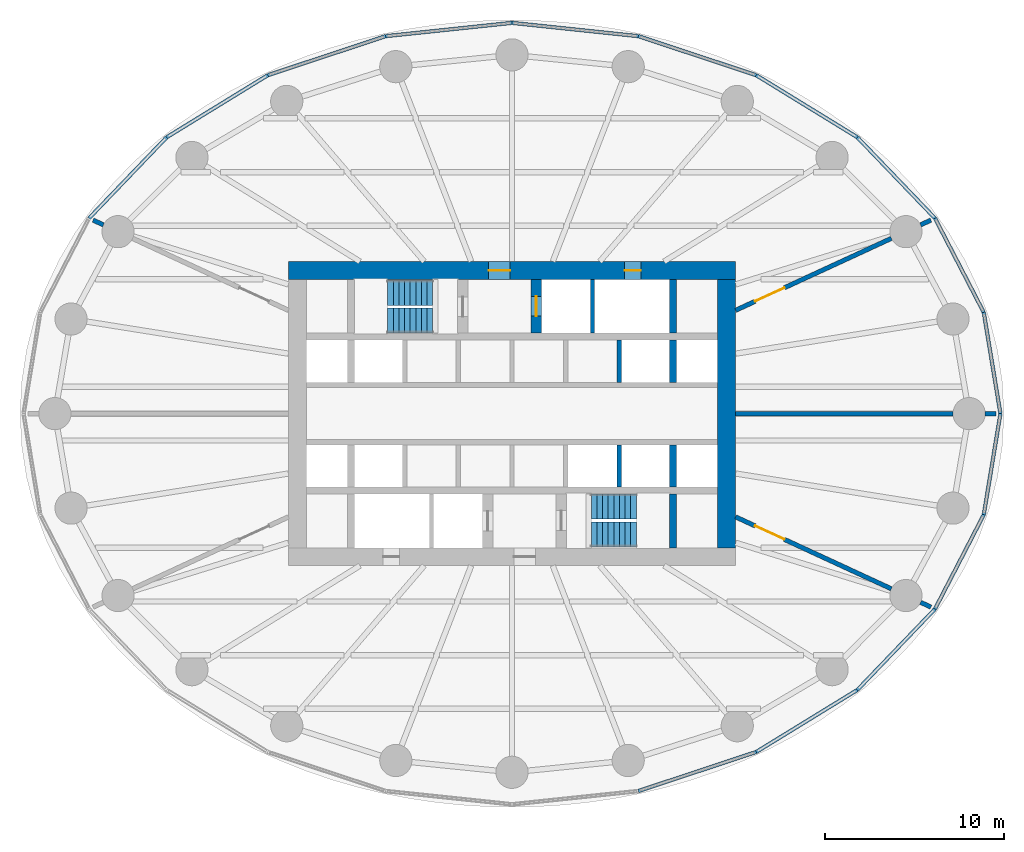
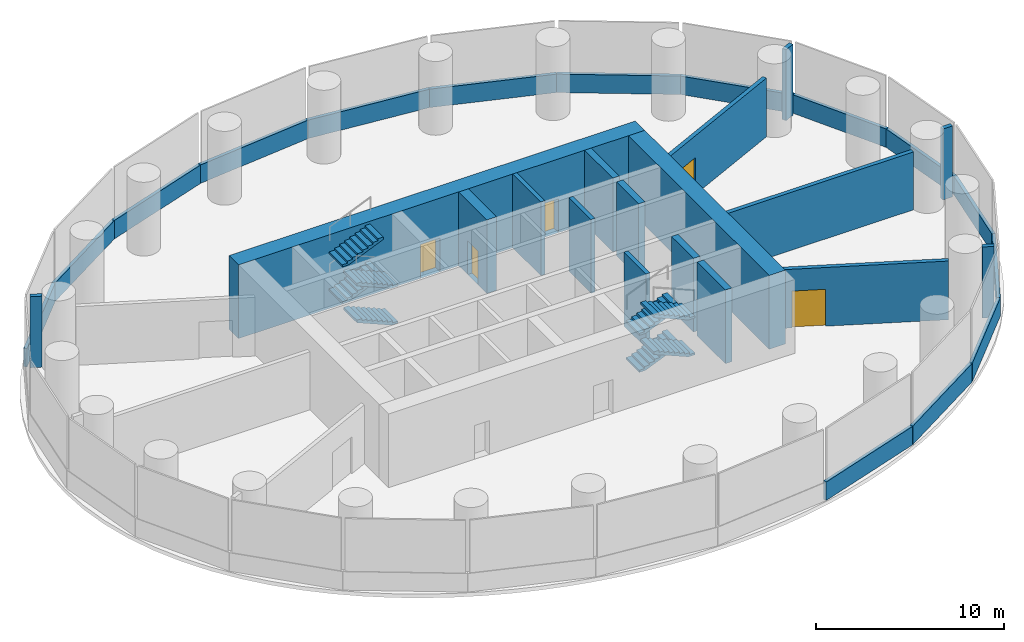
# One storey, part 4 of 5: 32 walls, 8 stair flights, 5 doors, 5 openings, 2 elements without a shape of their own.
"""IFC4 building model written with IfcOpenShell, lengths in metres."""

from ifc_helpers import new_model, si_unit, direction, frame, frame_2d, origin, place, context, subcontext, project, spatial, polyline, rectangle, outline, extrude, material, layer, layer_set, type_object, element, fill, aggregate, save


model = new_model("IFC4")

# Units and contexts
model_context = context("Model", 3, precision=1e-05, world=origin(), true_north=direction((0.0, 1.0)))
body_context = subcontext(model_context, "Body", "Model", "MODEL_VIEW")
ifc_project = project(units=[si_unit("LENGTHUNIT", "METRE"), si_unit("AREAUNIT", "SQUARE_METRE"), si_unit("VOLUMEUNIT", "CUBIC_METRE"), si_unit("PLANEANGLEUNIT", "RADIAN"), si_unit("MASSUNIT", "GRAM", prefix="KILO")], contexts=[model_context])

# Site, building, storey
site_placement = place(None, origin())
site = spatial("IfcSite", under=ifc_project, at=site_placement, CompositionType="ELEMENT")
building_placement = place(site_placement, origin())
building = spatial("IfcBuilding", under=site, at=building_placement, Name="Hankou Lantern Tower", CompositionType="ELEMENT")
storey_placement = place(building_placement, frame((0.0, 0.0, 45.89990234375)))
storey = spatial("IfcBuildingStorey", under=building, at=storey_placement, Name="L10", CompositionType="ELEMENT", Elevation=45.89990234375)

# Wall, openings, doors
ifc_material_1 = material(Name="Concrete C60", Category="concrete")
ifc_layer_1 = layer(ifc_material_1, 1.0)
ifc_layer_set_1 = layer_set([ifc_layer_1], Name="Concrete C60")
wall_type_1 = type_object("IfcWallType", Name="CW1 CORE WALL 1000", PredefinedType="SHEAR", material=ifc_layer_set_1)
wall_1_placement = place(storey_placement, frame((-12.5, 8.0, 0.0), z_axis=(0.0, 0.0, 1.0), x_axis=(1.0, 0.0, 0.0)))
wall_1 = element("IfcWall", 1, at=wall_1_placement, inside=storey, type_object=wall_type_1, Name="Core wall north L10", PredefinedType="SHEAR", context=body_context, shape_type="SweptSolid", body=[
    extrude(rectangle(XDim=25.0, YDim=1.0, at=frame_2d((12.5, 0.0))), origin(), (0.0, 0.0, 1.0), 4.800048828125),
])
opening_1_placement = place(wall_1_placement, frame((11.199951171875, 0.0, 0.0)))
opening_1 = element("IfcOpeningElement", 2, at=opening_1_placement, cuts=wall_1, Name="Opening D5", PredefinedType="OPENING", context=body_context, shape_type="SweptSolid", body=[
    extrude(rectangle(XDim=1.199951171875, YDim=2.199951171875, at=frame_2d((0.60009765625, 1.10009765625))), frame((0.0, 0.510009765625, 0.0), z_axis=(0.0, -1.0, 0.0), x_axis=(1.0, 0.0, 0.0)), (0.0, 0.0, 1.0), 1.02001953125),
])
opening_2_placement = place(wall_1_placement, frame((18.800048828125, 0.0, 0.0)))
opening_2 = element("IfcOpeningElement", 3, at=opening_2_placement, cuts=wall_1, Name="Opening D7", PredefinedType="OPENING", context=body_context, shape_type="SweptSolid", body=[
    extrude(rectangle(XDim=0.89990234375, YDim=2.199951171875, at=frame_2d((0.449951171875, 1.10009765625))), frame((0.0, 0.510009765625, 0.0), z_axis=(0.0, -1.0, 0.0), x_axis=(1.0, 0.0, 0.0)), (0.0, 0.0, 1.0), 1.02001953125),
])
ifc_material_2 = material(Name="Steel door leaf", Category="steel")
door_type_1 = type_object("IfcDoorType", Name="D5 STAIR LOBBY DOOR 1200X2200", OperationType="SINGLE_SWING_LEFT", PredefinedType="DOOR", material=ifc_material_2)
door_1_placement = place(opening_1_placement, origin())
door_1 = element("IfcDoor", 4, at=door_1_placement, inside=storey, type_object=door_type_1, Name="Stair A lobby door", OperationType="SINGLE_SWING_LEFT", OverallHeight=2.199951171875, OverallWidth=1.199951171875, PredefinedType="DOOR", context=body_context, shape_type="SweptSolid", body=[
    extrude(rectangle(XDim=1.199951171875, YDim=2.199951171875, at=frame_2d((0.60009765625, 1.10009765625))), frame((0.0, 0.02490234375, 0.0), z_axis=(0.0, -1.0, 0.0), x_axis=(1.0, 0.0, 0.0)), (0.0, 0.0, 1.0), 0.050048828125),
])
fill(opening_1, door_1)
ifc_material_3 = material(Name="Steel door leaf", Category="steel")
door_type_2 = type_object("IfcDoorType", Name="D7 RISER DOOR 900X2200", OperationType="SINGLE_SWING_LEFT", PredefinedType="DOOR", material=ifc_material_3)
door_2_placement = place(opening_2_placement, origin())
door_2 = element("IfcDoor", 5, at=door_2_placement, inside=storey, type_object=door_type_2, Name="Riser N1 door", OperationType="SINGLE_SWING_RIGHT", OverallHeight=2.199951171875, OverallWidth=0.89990234375, PredefinedType="DOOR", context=body_context, shape_type="SweptSolid", body=[
    extrude(rectangle(XDim=0.89990234375, YDim=2.199951171875, at=frame_2d((0.449951171875, 1.10009765625))), frame((0.0, 0.02490234375, 0.0), z_axis=(0.0, -1.0, 0.0), x_axis=(1.0, 0.0, 0.0)), (0.0, 0.0, 1.0), 0.050048828125),
])
fill(opening_2, door_2)

# Walls
wall_2_placement = place(storey_placement, frame((12.0, -7.5, 0.0), z_axis=(0.0, 0.0, 1.0), x_axis=(0.0, 1.0, 0.0)))
element("IfcWall", 6, at=wall_2_placement, inside=storey, type_object=wall_type_1, Name="Core wall east L10", PredefinedType="SHEAR", context=body_context, shape_type="SweptSolid", body=[
    extrude(rectangle(XDim=15.0, YDim=1.0, at=frame_2d((7.5, 0.0))), origin(), (0.0, 0.0, 1.0), 4.800048828125),
])
ifc_material_4 = material(Name="Concrete C60", Category="concrete")
ifc_layer_2 = layer(ifc_material_4, 0.39990234375)
ifc_layer_set_2 = layer_set([ifc_layer_2], Name="Concrete C60")
wall_type_2 = type_object("IfcWallType", Name="CW4 CORE CROSS WALL 400", PredefinedType="SHEAR", material=ifc_layer_set_2)
wall_3_placement = place(storey_placement, frame((9.0, 4.5, 0.0), z_axis=(0.0, 0.0, 1.0), x_axis=(0.0, 1.0, 0.0)))
element("IfcWall", 7, at=wall_3_placement, inside=storey, type_object=wall_type_2, Name="Core strip wall L10", PredefinedType="SHEAR", context=body_context, shape_type="SweptSolid", body=[
    extrude(rectangle(XDim=3.0, YDim=0.39990234375, at=frame_2d((1.5, 0.0))), origin(), (0.0, 0.0, 1.0), 4.800048828125),
])
for number, where, z_axis, x_axis, name in (
    (8, (9.0, 1.75, 0.0), (0.0, 0.0, 1.0), (0.0, 1.0, 0.0), "Core strip wall L10"),
    (9, (9.0, -4.10009765625, 0.0), (0.0, 0.0, 1.0), (0.0, 1.0, 0.0), "Core strip wall L10"),
):
    element("IfcWall", number, at=place(storey_placement, frame(where, z_axis=z_axis, x_axis=x_axis)), inside=storey, type_object=wall_type_2, Name=name, PredefinedType="SHEAR", context=body_context, shape_type="SweptSolid", body=[
        extrude(rectangle(XDim=2.35009765625, YDim=0.39990234375, at=frame_2d((1.175048828125, 0.0))), origin(), (0.0, 0.0, 1.0), 4.800048828125),
    ])
wall_4_placement = place(storey_placement, frame((9.0, -7.5, 0.0), z_axis=(0.0, 0.0, 1.0), x_axis=(0.0, 1.0, 0.0)))
element("IfcWall", 10, at=wall_4_placement, inside=storey, type_object=wall_type_2, Name="Core strip wall L10", PredefinedType="SHEAR", context=body_context, shape_type="SweptSolid", body=[
    extrude(rectangle(XDim=3.0, YDim=0.39990234375, at=frame_2d((1.5, 0.0))), origin(), (0.0, 0.0, 1.0), 4.800048828125),
])

# Wall, opening, door
ifc_material_5 = material(Name="Concrete C60", Category="concrete")
ifc_layer_3 = layer(ifc_material_5, 0.60009765625)
ifc_layer_set_3 = layer_set([ifc_layer_3], Name="Concrete C60")
wall_type_3 = type_object("IfcWallType", Name="CW6 STAIR AND SHAFT WALL 600", PredefinedType="SHEAR", material=ifc_layer_set_3)
wall_5_placement = place(storey_placement, frame((1.35009765625, 4.5, 0.0), z_axis=(0.0, 0.0, 1.0), x_axis=(0.0, 1.0, 0.0)))
wall_5 = element("IfcWall", 11, at=wall_5_placement, inside=storey, type_object=wall_type_3, Name="Firefighting lift shaft wall L10", PredefinedType="SHEAR", context=body_context, shape_type="SweptSolid", body=[
    extrude(rectangle(XDim=3.0, YDim=0.60009765625, at=frame_2d((1.5, 0.0))), origin(), (0.0, 0.0, 1.0), 4.800048828125),
])
opening_3_placement = place(wall_5_placement, frame((0.949951171875, 0.0, 0.0)))
opening_3 = element("IfcOpeningElement", 12, at=opening_3_placement, cuts=wall_5, Name="Opening LD2", PredefinedType="OPENING", context=body_context, shape_type="SweptSolid", body=[
    extrude(rectangle(XDim=1.10009765625, YDim=2.199951171875, at=frame_2d((0.550048828125, 1.10009765625))), frame((0.0, 0.31005859375, 0.0), z_axis=(0.0, -1.0, 0.0), x_axis=(1.0, 0.0, 0.0)), (0.0, 0.0, 1.0), 0.6201171875),
])
ifc_material_6 = material(Name="Steel door leaf", Category="steel")
door_type_3 = type_object("IfcDoorType", Name="LD2 FIREFIGHTING LIFT LANDING DOOR 1100X2200", OperationType="DOUBLE_DOOR_SLIDING", PredefinedType="DOOR", material=ifc_material_6)
door_3_placement = place(opening_3_placement, origin())
door_3 = element("IfcDoor", 13, at=door_3_placement, inside=storey, type_object=door_type_3, Name="Firefighting lift FL1 landing door", OperationType="DOUBLE_DOOR_SLIDING", OverallHeight=2.199951171875, OverallWidth=1.10009765625, PredefinedType="DOOR", context=body_context, shape_type="SweptSolid", body=[
    extrude(rectangle(XDim=1.10009765625, YDim=2.199951171875, at=frame_2d((0.550048828125, 1.10009765625))), frame((0.0, 0.02490234375, 0.0), z_axis=(0.0, -1.0, 0.0), x_axis=(1.0, 0.0, 0.0)), (0.0, 0.0, 1.0), 0.050048828125),
])
fill(opening_3, door_3)

# Walls
ifc_material_7 = material(Name="Precast concrete C40 spandrel", Category="concrete")
ifc_layer_4 = layer(ifc_material_7, 0.199951171875)
ifc_layer_set_4 = layer_set([ifc_layer_4], Name="Precast concrete C40 spandrel")
wall_type_4 = type_object("IfcWallType", Name="EW3 SPANDREL WALL 200", PredefinedType="PARAPET", material=ifc_layer_set_4)
wall_6_placement = place(storey_placement, frame((27.300048828125, 0.0, 0.0), z_axis=(0.0, 0.0, 1.0), x_axis=(-0.162373720697, 0.9867293321, 0.0)))
element("IfcWall", 14, at=wall_6_placement, inside=storey, type_object=wall_type_4, Name="Spandrel wall R01 L10", PredefinedType="PARAPET", context=body_context, shape_type="SweptSolid", body=[
    extrude(rectangle(XDim=5.728515625, YDim=0.199951171875, at=frame_2d((2.8642578125, 0.0))), origin(), (0.0, 0.0, 1.0), 1.2001953125),
])
wall_7_placement = place(storey_placement, frame((26.369873046875, 5.652587890625, 0.0), z_axis=(0.0, 0.0, 1.0), x_axis=(-0.459796869206, 0.88802412077, 0.0)))
element("IfcWall", 15, at=wall_7_placement, inside=storey, type_object=wall_type_4, Name="Spandrel wall R02 L10", PredefinedType="PARAPET", context=body_context, shape_type="SweptSolid", body=[
    extrude(rectangle(XDim=5.931640625, YDim=0.199951171875, at=frame_2d((2.9658203125, 0.0))), origin(), (0.0, 0.0, 1.0), 1.2001953125),
])
wall_8_placement = place(storey_placement, frame((23.642578125, 10.919921875, 0.0), z_axis=(0.0, 0.0, 1.0), x_axis=(-0.692229324032, 0.721677603193, 0.0)))
element("IfcWall", 16, at=wall_8_placement, inside=storey, type_object=wall_type_4, Name="Spandrel wall R03 L10", PredefinedType="PARAPET", context=body_context, shape_type="SweptSolid", body=[
    extrude(rectangle(XDim=6.267578125, YDim=0.199951171875, at=frame_2d((3.1337890625, 0.0))), origin(), (0.0, 0.0, 1.0), 1.2001953125),
])
wall_9_placement = place(storey_placement, frame((19.303955078125, 15.443115234375, 0.0), z_axis=(0.0, 0.0, 1.0), x_axis=(-0.852227644775, 0.523171139763, 0.0)))
element("IfcWall", 17, at=wall_9_placement, inside=storey, type_object=wall_type_4, Name="Spandrel wall R04 L10", PredefinedType="PARAPET", context=body_context, shape_type="SweptSolid", body=[
    extrude(rectangle(XDim=6.634521484375, YDim=0.199951171875, at=frame_2d((3.3173828125, 0.0))), origin(), (0.0, 0.0, 1.0), 1.2001953125),
])
wall_10_placement = place(storey_placement, frame((13.64990234375, 18.9140625, 0.0), z_axis=(0.0, 0.0, 1.0), x_axis=(-0.94924845877, 0.314527206332, 0.0)))
element("IfcWall", 18, at=wall_10_placement, inside=storey, type_object=wall_type_4, Name="Spandrel wall R05 L10", PredefinedType="PARAPET", context=body_context, shape_type="SweptSolid", body=[
    extrude(rectangle(XDim=6.936279296875, YDim=0.199951171875, at=frame_2d((3.46826171875, 0.0))), origin(), (0.0, 0.0, 1.0), 1.2001953125),
])
for number, where, z_axis, x_axis, name in (
    (19, (7.065673828125, 21.095703125, 0.0), (0.0, 0.0, 1.0), (-0.99449622286, 0.104772433002, 0.0), "Spandrel wall R06 L10"),
    (20, (0.0, 21.840087890625, 0.0), (0.0, 0.0, 1.0), (-0.99449622286, -0.104772433002, 0.0), "Spandrel wall R07 L10"),
):
    element("IfcWall", number, at=place(storey_placement, frame(where, z_axis=z_axis, x_axis=x_axis)), inside=storey, type_object=wall_type_4, Name=name, PredefinedType="PARAPET", context=body_context, shape_type="SweptSolid", body=[
        extrude(rectangle(XDim=7.104736328125, YDim=0.199951171875, at=frame_2d((3.55224609375, 0.0))), origin(), (0.0, 0.0, 1.0), 1.2001953125),
    ])
wall_11_placement = place(storey_placement, frame((-7.065673828125, 21.095703125, 0.0), z_axis=(0.0, 0.0, 1.0), x_axis=(-0.94924845877, -0.314527206332, 0.0)))
element("IfcWall", 21, at=wall_11_placement, inside=storey, type_object=wall_type_4, Name="Spandrel wall R08 L10", PredefinedType="PARAPET", context=body_context, shape_type="SweptSolid", body=[
    extrude(rectangle(XDim=6.936279296875, YDim=0.199951171875, at=frame_2d((3.46826171875, 0.0))), origin(), (0.0, 0.0, 1.0), 1.2001953125),
])
wall_12_placement = place(storey_placement, frame((-13.64990234375, 18.9140625, 0.0), z_axis=(0.0, 0.0, 1.0), x_axis=(-0.852227644775, -0.523171139763, 0.0)))
element("IfcWall", 22, at=wall_12_placement, inside=storey, type_object=wall_type_4, Name="Spandrel wall R09 L10", PredefinedType="PARAPET", context=body_context, shape_type="SweptSolid", body=[
    extrude(rectangle(XDim=6.634521484375, YDim=0.199951171875, at=frame_2d((3.3173828125, 0.0))), origin(), (0.0, 0.0, 1.0), 1.2001953125),
])
wall_13_placement = place(storey_placement, frame((-19.303955078125, 15.443115234375, 0.0), z_axis=(0.0, 0.0, 1.0), x_axis=(-0.692229324032, -0.721677603193, 0.0)))
element("IfcWall", 23, at=wall_13_placement, inside=storey, type_object=wall_type_4, Name="Spandrel wall R10 L10", PredefinedType="PARAPET", context=body_context, shape_type="SweptSolid", body=[
    extrude(rectangle(XDim=6.267578125, YDim=0.199951171875, at=frame_2d((3.1337890625, 0.0))), origin(), (0.0, 0.0, 1.0), 1.2001953125),
])
wall_14_placement = place(storey_placement, frame((7.065673828125, -21.095703125, 0.0), z_axis=(0.0, 0.0, 1.0), x_axis=(0.94924845877, 0.314527206332, 0.0)))
element("IfcWall", 24, at=wall_14_placement, inside=storey, type_object=wall_type_4, Name="Spandrel wall R20 L10", PredefinedType="PARAPET", context=body_context, shape_type="SweptSolid", body=[
    extrude(rectangle(XDim=6.936279296875, YDim=0.199951171875, at=frame_2d((3.46826171875, 0.0))), origin(), (0.0, 0.0, 1.0), 1.2001953125),
])
wall_15_placement = place(storey_placement, frame((13.64990234375, -18.9140625, 0.0), z_axis=(0.0, 0.0, 1.0), x_axis=(0.852227644775, 0.523171139763, 0.0)))
element("IfcWall", 25, at=wall_15_placement, inside=storey, type_object=wall_type_4, Name="Spandrel wall R21 L10", PredefinedType="PARAPET", context=body_context, shape_type="SweptSolid", body=[
    extrude(rectangle(XDim=6.634521484375, YDim=0.199951171875, at=frame_2d((3.3173828125, 0.0))), origin(), (0.0, 0.0, 1.0), 1.2001953125),
])
wall_16_placement = place(storey_placement, frame((19.303955078125, -15.443115234375, 0.0), z_axis=(0.0, 0.0, 1.0), x_axis=(0.692229324032, 0.721677603193, 0.0)))
element("IfcWall", 26, at=wall_16_placement, inside=storey, type_object=wall_type_4, Name="Spandrel wall R22 L10", PredefinedType="PARAPET", context=body_context, shape_type="SweptSolid", body=[
    extrude(rectangle(XDim=6.267578125, YDim=0.199951171875, at=frame_2d((3.1337890625, 0.0))), origin(), (0.0, 0.0, 1.0), 1.2001953125),
])
wall_17_placement = place(storey_placement, frame((23.642578125, -10.919921875, 0.0), z_axis=(0.0, 0.0, 1.0), x_axis=(0.459796869206, 0.88802412077, 0.0)))
element("IfcWall", 27, at=wall_17_placement, inside=storey, type_object=wall_type_4, Name="Spandrel wall R23 L10", PredefinedType="PARAPET", context=body_context, shape_type="SweptSolid", body=[
    extrude(rectangle(XDim=5.931640625, YDim=0.199951171875, at=frame_2d((2.9658203125, 0.0))), origin(), (0.0, 0.0, 1.0), 1.2001953125),
])
wall_18_placement = place(storey_placement, frame((26.369873046875, -5.652587890625, 0.0), z_axis=(0.0, 0.0, 1.0), x_axis=(0.162373720697, 0.9867293321, 0.0)))
element("IfcWall", 28, at=wall_18_placement, inside=storey, type_object=wall_type_4, Name="Spandrel wall R24 L10", PredefinedType="PARAPET", context=body_context, shape_type="SweptSolid", body=[
    extrude(rectangle(XDim=5.728515625, YDim=0.199951171875, at=frame_2d((2.8642578125, 0.0))), origin(), (0.0, 0.0, 1.0), 1.2001953125),
])

# Wall, opening, door
ifc_material_8 = material(Name="Masonry dense concrete block", Category="masonry")
ifc_layer_5 = layer(ifc_material_8, 0.25)
ifc_layer_set_5 = layer_set([ifc_layer_5], Name="Masonry dense concrete block")
wall_type_5 = type_object("IfcWallType", Name="IW5 PLANT ROOM FIRE WALL 250", PredefinedType="PARTITIONING", material=ifc_layer_set_5)
wall_19_placement = place(storey_placement, frame((12.5, 5.7734375, 0.0), z_axis=(0.0, 0.0, 1.0), x_axis=(0.907843804287, 0.419308510548, 0.0)))
wall_19 = element("IfcWall", 29, at=wall_19_placement, inside=storey, type_object=wall_type_5, Name="Plant room fire wall R03", PredefinedType="PARTITIONING", context=body_context, shape_type="SweptSolid", body=[
    extrude(rectangle(XDim=9.58544921875, YDim=0.25, at=frame_2d((4.792724609375, 0.0))), origin(), (0.0, 0.0, 1.0), 3.820068359375),
])
opening_4_placement = place(wall_19_placement, frame((1.199951171875, 0.0, 0.0)))
opening_4 = element("IfcOpeningElement", 30, at=opening_4_placement, cuts=wall_19, Name="Opening D9", PredefinedType="OPENING", context=body_context, shape_type="SweptSolid", body=[
    extrude(rectangle(XDim=1.800048828125, YDim=2.39990234375, at=frame_2d((0.89990234375, 1.199951171875))), frame((0.0, 0.135009765625, 0.0), z_axis=(0.0, -1.0, 0.0), x_axis=(1.0, 0.0, 0.0)), (0.0, 0.0, 1.0), 0.27001953125),
])
ifc_material_9 = material(Name="Steel door leaf", Category="steel")
door_type_4 = type_object("IfcDoorType", Name="D9 PLANT ROOM DOOR 1800X2400", OperationType="DOUBLE_DOOR_DOUBLE_SWING", PredefinedType="DOOR", material=ifc_material_9)
door_4_placement = place(opening_4_placement, origin())
door_4 = element("IfcDoor", 31, at=door_4_placement, inside=storey, type_object=door_type_4, Name="Plant room door R03", OperationType="DOUBLE_DOOR_DOUBLE_SWING", OverallHeight=2.39990234375, OverallWidth=1.800048828125, PredefinedType="DOOR", context=body_context, shape_type="SweptSolid", body=[
    extrude(rectangle(XDim=1.800048828125, YDim=2.39990234375, at=frame_2d((0.89990234375, 1.199951171875))), frame((0.0, 0.02490234375, 0.0), z_axis=(0.0, -1.0, 0.0), x_axis=(1.0, 0.0, 0.0)), (0.0, 0.0, 1.0), 0.050048828125),
])
fill(opening_4, door_4)

# Walls
for number, where, z_axis, x_axis, name in (
    (32, (22.836181640625, 10.547607421875, 0.0), (0.0, 0.0, 1.0), (0.907847379299, 0.419300770211, 0.0), "Plant room fire wall R03"),
    (33, (-22.836181640625, 10.547607421875, 0.0), (0.0, 0.0, 1.0), (-0.907847379299, 0.419300770211, 0.0), "Plant room fire wall R11"),
):
    element("IfcWall", number, at=place(storey_placement, frame(where, z_axis=z_axis, x_axis=x_axis)), inside=storey, type_object=wall_type_5, Name=name, PredefinedType="PARTITIONING", context=body_context, shape_type="SweptSolid", body=[
        extrude(rectangle(XDim=0.63818359375, YDim=0.25, at=frame_2d((0.319091796875, 0.0))), origin(), (0.0, 0.0, 1.0), 4.6201171875),
    ])

# Wall, opening, door
wall_20_placement = place(storey_placement, frame((12.5, -5.7734375, 0.0), z_axis=(0.0, 0.0, 1.0), x_axis=(0.907843804287, -0.419308510548, 0.0)))
wall_20 = element("IfcWall", 34, at=wall_20_placement, inside=storey, type_object=wall_type_5, Name="Plant room fire wall R23", PredefinedType="PARTITIONING", context=body_context, shape_type="SweptSolid", body=[
    extrude(rectangle(XDim=9.58544921875, YDim=0.25, at=frame_2d((4.792724609375, 0.0))), origin(), (0.0, 0.0, 1.0), 3.820068359375),
])
opening_5_placement = place(wall_20_placement, frame((1.199951171875, 0.0, 0.0)))
opening_5 = element("IfcOpeningElement", 35, at=opening_5_placement, cuts=wall_20, Name="Opening D9", PredefinedType="OPENING", context=body_context, shape_type="SweptSolid", body=[
    extrude(rectangle(XDim=1.800048828125, YDim=2.39990234375, at=frame_2d((0.89990234375, 1.199951171875))), frame((0.0, 0.135009765625, 0.0), z_axis=(0.0, -1.0, 0.0), x_axis=(1.0, 0.0, 0.0)), (0.0, 0.0, 1.0), 0.27001953125),
])
door_5_placement = place(opening_5_placement, origin())
door_5 = element("IfcDoor", 36, at=door_5_placement, inside=storey, type_object=door_type_4, Name="Plant room door R23", OperationType="DOUBLE_DOOR_DOUBLE_SWING", OverallHeight=2.39990234375, OverallWidth=1.800048828125, PredefinedType="DOOR", context=body_context, shape_type="SweptSolid", body=[
    extrude(rectangle(XDim=1.800048828125, YDim=2.39990234375, at=frame_2d((0.89990234375, 1.199951171875))), frame((0.0, 0.02490234375, 0.0), z_axis=(0.0, -1.0, 0.0), x_axis=(1.0, 0.0, 0.0)), (0.0, 0.0, 1.0), 0.050048828125),
])
fill(opening_5, door_5)

# Walls
wall_21_placement = place(storey_placement, frame((22.836181640625, -10.547607421875, 0.0), z_axis=(0.0, 0.0, 1.0), x_axis=(0.907847379299, -0.419300770211, 0.0)))
element("IfcWall", 37, at=wall_21_placement, inside=storey, type_object=wall_type_5, Name="Plant room fire wall R23", PredefinedType="PARTITIONING", context=body_context, shape_type="SweptSolid", body=[
    extrude(rectangle(XDim=0.63818359375, YDim=0.25, at=frame_2d((0.319091796875, 0.0))), origin(), (0.0, 0.0, 1.0), 4.6201171875),
])
wall_22_placement = place(storey_placement, frame((12.5, 0.0, 0.0), z_axis=(0.0, 0.0, 1.0), x_axis=(1.0, 0.0, 0.0)))
element("IfcWall", 38, at=wall_22_placement, inside=storey, type_object=wall_type_5, Name="Plant room partition R01", PredefinedType="PARTITIONING", context=body_context, shape_type="SweptSolid", body=[
    extrude(rectangle(XDim=12.14990234375, YDim=0.25, at=frame_2d((6.074951171875, 0.0))), origin(), (0.0, 0.0, 1.0), 3.77001953125),
])
wall_23_placement = place(storey_placement, frame((26.449951171875, 0.0, 0.0), z_axis=(0.0, 0.0, 1.0), x_axis=(1.0, 0.0, 0.0)))
element("IfcWall", 39, at=wall_23_placement, inside=storey, type_object=wall_type_5, Name="Plant room partition R01", PredefinedType="PARTITIONING", context=body_context, shape_type="SweptSolid", body=[
    extrude(rectangle(XDim=0.60009765625, YDim=0.25, at=frame_2d((0.300048828125, 0.0))), origin(), (0.0, 0.0, 1.0), 4.6201171875),
])
ifc_material_10 = material(Name="Masonry autoclaved aerated concrete block", Category="masonry")
ifc_layer_6 = layer(ifc_material_10, 0.25)
ifc_layer_set_6 = layer_set([ifc_layer_6], Name="Masonry autoclaved aerated concrete block")
wall_type_6 = type_object("IfcWallType", Name="SW1 SHAFT BLOCK WALL 250", PredefinedType="PARTITIONING", material=ifc_layer_set_6)
wall_24_placement = place(storey_placement, frame((4.5, 4.5, 0.0), z_axis=(0.0, 0.0, 1.0), x_axis=(0.0, 1.0, 0.0)))
element("IfcWall", 40, at=wall_24_placement, inside=storey, type_object=wall_type_6, Name="Riser wall L10", PredefinedType="PARTITIONING", context=body_context, shape_type="SweptSolid", body=[
    extrude(rectangle(XDim=3.0, YDim=0.25, at=frame_2d((1.5, 0.0))), origin(), (0.0, 0.0, 1.0), 4.800048828125),
])
for number, where, z_axis, x_axis, name in (
    (41, (6.0, 1.75, 0.0), (0.0, 0.0, 1.0), (0.0, 1.0, 0.0), "Lift shaft wall L10"),
    (42, (6.0, -4.10009765625, 0.0), (0.0, 0.0, 1.0), (0.0, 1.0, 0.0), "Lift shaft wall L10"),
):
    element("IfcWall", number, at=place(storey_placement, frame(where, z_axis=z_axis, x_axis=x_axis)), inside=storey, type_object=wall_type_6, Name=name, PredefinedType="PARTITIONING", context=body_context, shape_type="SweptSolid", body=[
        extrude(rectangle(XDim=2.35009765625, YDim=0.25, at=frame_2d((1.175048828125, 0.0))), origin(), (0.0, 0.0, 1.0), 4.800048828125),
    ])

# Stair, stair flights
ifc_material_11 = material(Name="Concrete C40", Category="concrete")
stair_type = type_object("IfcStairType", Name="ST48 CORE STAIR 4800 RISE", PredefinedType="HALF_TURN_STAIR", material=ifc_material_11)
stair_1_placement = place(storey_placement, origin())
stair_1 = element("IfcStair", 43, at=stair_1_placement, inside=storey, type_object=stair_type, Name="Stair STA L10", PredefinedType="HALF_TURN_STAIR")
ifc_material_12 = material(Name="Concrete C40", Category="concrete")
stair_flight_type = type_object("IfcStairFlightType", Name="CF9 CORE STAIR FLIGHT 1400 X 9 RISERS", PredefinedType="STRAIGHT", material=ifc_material_12)
stair_flight_1_placement = place(storey_placement, frame((-4.429931640625, 5.199951171875, 0.0), z_axis=(0.0, 0.0, 1.0), x_axis=(-1.0, 0.0, 0.0)))
stair_flight_1 = element("IfcStairFlight", 44, at=stair_flight_1_placement, type_object=stair_flight_type, Name="STA flight 1", NumberOfRisers=9, NumberOfTreads=8, PredefinedType="STRAIGHT", RiserHeight=0.133333333, TreadLength=0.315, context=body_context, shape_type="SweptSolid", body=[
    extrude(outline(polyline([(0.0, 0.0), (0.0, 0.13330078125), (0.31494140625, 0.13330078125), (0.31494140625, 0.2666015625), (0.6298828125, 0.2666015625), (0.6298828125, 0.39990234375), (0.945068359375, 0.39990234375), (0.945068359375, 0.533447265625), (1.260009765625, 0.533447265625), (1.260009765625, 0.666748046875), (1.574951171875, 0.666748046875), (1.574951171875, 0.800048828125), (1.889892578125, 0.800048828125), (1.889892578125, 0.933349609375), (2.205078125, 0.933349609375), (2.205078125, 1.066650390625), (2.52001953125, 1.066650390625), (2.52001953125, 1.199951171875), (2.52001953125, 0.90380859375), (0.384521484375, 0.0), (0.0, 0.0)])), frame((0.0, 0.699951171875, 0.0), z_axis=(0.0, -1.0, 0.0), x_axis=(1.0, 0.0, 0.0)), (0.0, 0.0, 1.0), 1.39990234375),
])
stair_flight_2_placement = place(storey_placement, frame((-6.949951171875, 6.75, 1.2001953125), z_axis=(0.0, 0.0, 1.0), x_axis=(1.0, 0.0, 0.0)))
stair_flight_2 = element("IfcStairFlight", 45, at=stair_flight_2_placement, type_object=stair_flight_type, Name="STA flight 2", NumberOfRisers=9, NumberOfTreads=8, PredefinedType="STRAIGHT", RiserHeight=0.133333333, TreadLength=0.315, context=body_context, shape_type="SweptSolid", body=[
    extrude(outline(polyline([(0.0, 0.0), (0.0, 0.13330078125), (0.31494140625, 0.13330078125), (0.31494140625, 0.2666015625), (0.6298828125, 0.2666015625), (0.6298828125, 0.39990234375), (0.945068359375, 0.39990234375), (0.945068359375, 0.533447265625), (1.260009765625, 0.533447265625), (1.260009765625, 0.666748046875), (1.574951171875, 0.666748046875), (1.574951171875, 0.800048828125), (1.889892578125, 0.800048828125), (1.889892578125, 0.933349609375), (2.205078125, 0.933349609375), (2.205078125, 1.066650390625), (2.52001953125, 1.066650390625), (2.52001953125, 1.199951171875), (2.52001953125, 0.90380859375), (0.384521484375, 0.0), (0.0, 0.0)])), frame((0.0, 0.699951171875, 0.0), z_axis=(0.0, -1.0, 0.0), x_axis=(1.0, 0.0, 0.0)), (0.0, 0.0, 1.0), 1.39990234375),
])
stair_flight_3_placement = place(storey_placement, frame((-4.429931640625, 5.199951171875, 2.400146484375), z_axis=(0.0, 0.0, 1.0), x_axis=(-1.0, 0.0, 0.0)))
stair_flight_3 = element("IfcStairFlight", 46, at=stair_flight_3_placement, type_object=stair_flight_type, Name="STA flight 3", NumberOfRisers=9, NumberOfTreads=8, PredefinedType="STRAIGHT", RiserHeight=0.133333333, TreadLength=0.315, context=body_context, shape_type="SweptSolid", body=[
    extrude(outline(polyline([(0.0, 0.0), (0.0, 0.13330078125), (0.31494140625, 0.13330078125), (0.31494140625, 0.2666015625), (0.6298828125, 0.2666015625), (0.6298828125, 0.39990234375), (0.945068359375, 0.39990234375), (0.945068359375, 0.533447265625), (1.260009765625, 0.533447265625), (1.260009765625, 0.666748046875), (1.574951171875, 0.666748046875), (1.574951171875, 0.800048828125), (1.889892578125, 0.800048828125), (1.889892578125, 0.933349609375), (2.205078125, 0.933349609375), (2.205078125, 1.066650390625), (2.52001953125, 1.066650390625), (2.52001953125, 1.199951171875), (2.52001953125, 0.90380859375), (0.384521484375, 0.0), (0.0, 0.0)])), frame((0.0, 0.699951171875, 0.0), z_axis=(0.0, -1.0, 0.0), x_axis=(1.0, 0.0, 0.0)), (0.0, 0.0, 1.0), 1.39990234375),
])
stair_flight_4_placement = place(storey_placement, frame((-6.949951171875, 6.75, 3.60009765625), z_axis=(0.0, 0.0, 1.0), x_axis=(1.0, 0.0, 0.0)))
stair_flight_4 = element("IfcStairFlight", 47, at=stair_flight_4_placement, type_object=stair_flight_type, Name="STA flight 4", NumberOfRisers=9, NumberOfTreads=8, PredefinedType="STRAIGHT", RiserHeight=0.133333333, TreadLength=0.315, context=body_context, shape_type="SweptSolid", body=[
    extrude(outline(polyline([(0.0, 0.0), (0.0, 0.13330078125), (0.31494140625, 0.13330078125), (0.31494140625, 0.2666015625), (0.6298828125, 0.2666015625), (0.6298828125, 0.39990234375), (0.945068359375, 0.39990234375), (0.945068359375, 0.533447265625), (1.260009765625, 0.533447265625), (1.260009765625, 0.666748046875), (1.574951171875, 0.666748046875), (1.574951171875, 0.800048828125), (1.889892578125, 0.800048828125), (1.889892578125, 0.933349609375), (2.205078125, 0.933349609375), (2.205078125, 1.066650390625), (2.52001953125, 1.066650390625), (2.52001953125, 1.199951171875), (2.52001953125, 0.90380859375), (0.384521484375, 0.0), (0.0, 0.0)])), frame((0.0, 0.699951171875, 0.0), z_axis=(0.0, -1.0, 0.0), x_axis=(1.0, 0.0, 0.0)), (0.0, 0.0, 1.0), 1.39990234375),
])
aggregate(stair_1, [stair_flight_1, stair_flight_2, stair_flight_3, stair_flight_4])

stair_2_placement = place(storey_placement, origin())
stair_2 = element("IfcStair", 48, at=stair_2_placement, inside=storey, type_object=stair_type, Name="Stair STB L10", PredefinedType="HALF_TURN_STAIR")
stair_flight_5_placement = place(storey_placement, frame((4.429931640625, -5.199951171875, 0.0), z_axis=(0.0, 0.0, 1.0), x_axis=(1.0, 0.0, 0.0)))
stair_flight_5 = element("IfcStairFlight", 49, at=stair_flight_5_placement, type_object=stair_flight_type, Name="STB flight 1", NumberOfRisers=9, NumberOfTreads=8, PredefinedType="STRAIGHT", RiserHeight=0.133333333, TreadLength=0.315, context=body_context, shape_type="SweptSolid", body=[
    extrude(outline(polyline([(0.0, 0.0), (0.0, 0.13330078125), (0.31494140625, 0.13330078125), (0.31494140625, 0.2666015625), (0.6298828125, 0.2666015625), (0.6298828125, 0.39990234375), (0.945068359375, 0.39990234375), (0.945068359375, 0.533447265625), (1.260009765625, 0.533447265625), (1.260009765625, 0.666748046875), (1.574951171875, 0.666748046875), (1.574951171875, 0.800048828125), (1.889892578125, 0.800048828125), (1.889892578125, 0.933349609375), (2.205078125, 0.933349609375), (2.205078125, 1.066650390625), (2.52001953125, 1.066650390625), (2.52001953125, 1.199951171875), (2.52001953125, 0.90380859375), (0.384521484375, 0.0), (0.0, 0.0)])), frame((0.0, 0.699951171875, 0.0), z_axis=(0.0, -1.0, 0.0), x_axis=(1.0, 0.0, 0.0)), (0.0, 0.0, 1.0), 1.39990234375),
])
stair_flight_6_placement = place(storey_placement, frame((6.949951171875, -6.75, 1.2001953125), z_axis=(0.0, 0.0, 1.0), x_axis=(-1.0, 0.0, 0.0)))
stair_flight_6 = element("IfcStairFlight", 50, at=stair_flight_6_placement, type_object=stair_flight_type, Name="STB flight 2", NumberOfRisers=9, NumberOfTreads=8, PredefinedType="STRAIGHT", RiserHeight=0.133333333, TreadLength=0.315, context=body_context, shape_type="SweptSolid", body=[
    extrude(outline(polyline([(0.0, 0.0), (0.0, 0.13330078125), (0.31494140625, 0.13330078125), (0.31494140625, 0.2666015625), (0.6298828125, 0.2666015625), (0.6298828125, 0.39990234375), (0.945068359375, 0.39990234375), (0.945068359375, 0.533447265625), (1.260009765625, 0.533447265625), (1.260009765625, 0.666748046875), (1.574951171875, 0.666748046875), (1.574951171875, 0.800048828125), (1.889892578125, 0.800048828125), (1.889892578125, 0.933349609375), (2.205078125, 0.933349609375), (2.205078125, 1.066650390625), (2.52001953125, 1.066650390625), (2.52001953125, 1.199951171875), (2.52001953125, 0.90380859375), (0.384521484375, 0.0), (0.0, 0.0)])), frame((0.0, 0.699951171875, 0.0), z_axis=(0.0, -1.0, 0.0), x_axis=(1.0, 0.0, 0.0)), (0.0, 0.0, 1.0), 1.39990234375),
])
stair_flight_7_placement = place(storey_placement, frame((4.429931640625, -5.199951171875, 2.400146484375), z_axis=(0.0, 0.0, 1.0), x_axis=(1.0, 0.0, 0.0)))
stair_flight_7 = element("IfcStairFlight", 51, at=stair_flight_7_placement, type_object=stair_flight_type, Name="STB flight 3", NumberOfRisers=9, NumberOfTreads=8, PredefinedType="STRAIGHT", RiserHeight=0.133333333, TreadLength=0.315, context=body_context, shape_type="SweptSolid", body=[
    extrude(outline(polyline([(0.0, 0.0), (0.0, 0.13330078125), (0.31494140625, 0.13330078125), (0.31494140625, 0.2666015625), (0.6298828125, 0.2666015625), (0.6298828125, 0.39990234375), (0.945068359375, 0.39990234375), (0.945068359375, 0.533447265625), (1.260009765625, 0.533447265625), (1.260009765625, 0.666748046875), (1.574951171875, 0.666748046875), (1.574951171875, 0.800048828125), (1.889892578125, 0.800048828125), (1.889892578125, 0.933349609375), (2.205078125, 0.933349609375), (2.205078125, 1.066650390625), (2.52001953125, 1.066650390625), (2.52001953125, 1.199951171875), (2.52001953125, 0.90380859375), (0.384521484375, 0.0), (0.0, 0.0)])), frame((0.0, 0.699951171875, 0.0), z_axis=(0.0, -1.0, 0.0), x_axis=(1.0, 0.0, 0.0)), (0.0, 0.0, 1.0), 1.39990234375),
])
stair_flight_8_placement = place(storey_placement, frame((6.949951171875, -6.75, 3.60009765625), z_axis=(0.0, 0.0, 1.0), x_axis=(-1.0, 0.0, 0.0)))
stair_flight_8 = element("IfcStairFlight", 52, at=stair_flight_8_placement, type_object=stair_flight_type, Name="STB flight 4", NumberOfRisers=9, NumberOfTreads=8, PredefinedType="STRAIGHT", RiserHeight=0.133333333, TreadLength=0.315, context=body_context, shape_type="SweptSolid", body=[
    extrude(outline(polyline([(0.0, 0.0), (0.0, 0.13330078125), (0.31494140625, 0.13330078125), (0.31494140625, 0.2666015625), (0.6298828125, 0.2666015625), (0.6298828125, 0.39990234375), (0.945068359375, 0.39990234375), (0.945068359375, 0.533447265625), (1.260009765625, 0.533447265625), (1.260009765625, 0.666748046875), (1.574951171875, 0.666748046875), (1.574951171875, 0.800048828125), (1.889892578125, 0.800048828125), (1.889892578125, 0.933349609375), (2.205078125, 0.933349609375), (2.205078125, 1.066650390625), (2.52001953125, 1.066650390625), (2.52001953125, 1.199951171875), (2.52001953125, 0.90380859375), (0.384521484375, 0.0), (0.0, 0.0)])), frame((0.0, 0.699951171875, 0.0), z_axis=(0.0, -1.0, 0.0), x_axis=(1.0, 0.0, 0.0)), (0.0, 0.0, 1.0), 1.39990234375),
])
aggregate(stair_2, [stair_flight_5, stair_flight_6, stair_flight_7, stair_flight_8])

save(model, "model.ifc")
